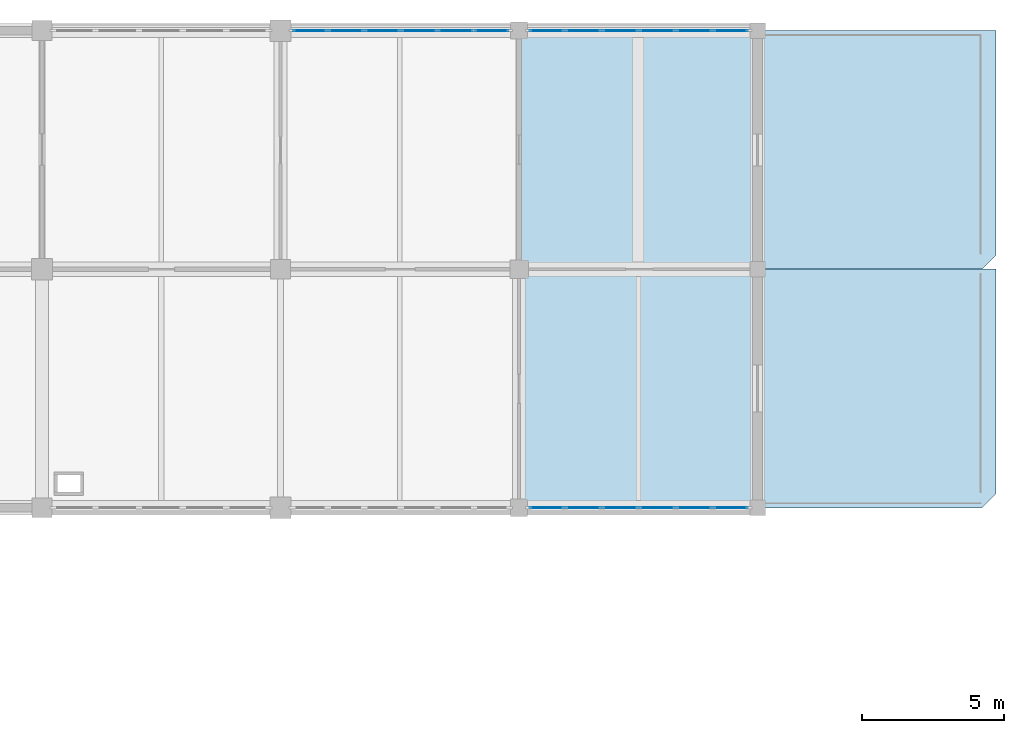
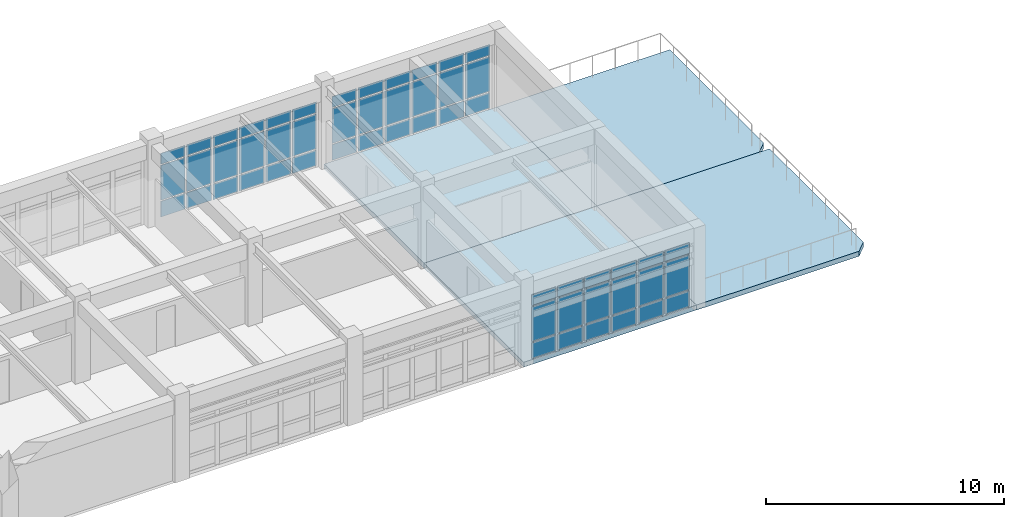
# One storey, part 77 of 99: 54 plates, 4 slabs, 3 elements without a shape of their own.
"""IFC4 building model written with IfcOpenShell, lengths in metres."""

from ifc_helpers import new_model, si_unit, direction, frame, origin, origin_2d, place, context, subcontext, project, spatial, polyline, rectangle, outline, extrude, material, layer, layer_set, type_object, element, aggregate, save


model = new_model("IFC4")

# Units and contexts
model_context = context("Model", 3, precision=1e-05, world=origin(), true_north=direction((0.0, 1.0)))
body_context = subcontext(model_context, "Body", "Model", "MODEL_VIEW")
ifc_project = project(units=[si_unit("LENGTHUNIT", "METRE"), si_unit("AREAUNIT", "SQUARE_METRE"), si_unit("VOLUMEUNIT", "CUBIC_METRE"), si_unit("PLANEANGLEUNIT", "RADIAN"), si_unit("MASSUNIT", "GRAM", prefix="KILO")], contexts=[model_context])

# Site, building, storey
site_placement = place(None, origin())
site = spatial("IfcSite", under=ifc_project, at=site_placement, CompositionType="ELEMENT")
building_placement = place(site_placement, origin())
building = spatial("IfcBuilding", under=site, at=building_placement, Name="Porcellanite Civic Hall", CompositionType="ELEMENT")
storey_placement = place(building_placement, frame((0.0, 0.0, 5.760009765625)))
storey = spatial("IfcBuildingStorey", under=building, at=storey_placement, Name="L01", CompositionType="ELEMENT", Elevation=5.760009765625)

# Curtain wall, plates
ifc_material_1 = material(Name="Anodised aluminium and solar laminated glass", Category="aluminium")
ifc_layer_1 = layer(ifc_material_1, 0.179931640625)
ifc_layer_set_1 = layer_set([ifc_layer_1], Name="Anodised aluminium and solar laminated glass")
curtain_wall_type = type_object("IfcCurtainWallType", Name="CW-SYS02", PredefinedType="NOTDEFINED", material=ifc_layer_set_1)
curtain_wall_1_placement = place(storey_placement, origin())
curtain_wall_1 = element("IfcCurtainWall", 1, at=curtain_wall_1_placement, inside=storey, type_object=curtain_wall_type, Name="Curtain wall CW-125", PredefinedType="NOTDEFINED")
ifc_material_2 = material(Name="Cyclone laminated solar-control low-E glass", Category="glass")
ifc_layer_2 = layer(ifc_material_2, 0.02587890625)
ifc_layer_set_2 = layer_set([ifc_layer_2], Name="Cyclone laminated solar-control low-E glass")
plate_type = type_object("IfcPlateType", Name="CWP-02", PredefinedType="CURTAIN_PANEL", material=ifc_layer_set_2)
plate_1_placement = place(storey_placement, frame((152.23828125, 117.60009765625, 0.06494140625), z_axis=(0.0, 0.0, 1.0), x_axis=(1.0, 0.0, 0.0)))
plate_1 = element("IfcPlate", 2, at=plate_1_placement, type_object=plate_type, Name="CW-125 panel 1.1", PredefinedType="CURTAIN_PANEL", context=body_context, shape_type="SweptSolid", body=[
    extrude(rectangle(XDim=1.174560546875, YDim=0.02587890625, at=origin_2d()), origin(), (0.0, 0.0, 1.0), 0.802490234375),
])
plate_2_placement = place(storey_placement, frame((152.23828125, 117.60009765625, 0.9326171875), z_axis=(0.0, 0.0, 1.0), x_axis=(1.0, 0.0, 0.0)))
plate_2 = element("IfcPlate", 3, at=plate_2_placement, type_object=plate_type, Name="CW-125 panel 1.2", PredefinedType="CURTAIN_PANEL", context=body_context, shape_type="SweptSolid", body=[
    extrude(rectangle(XDim=1.174560546875, YDim=0.02587890625, at=origin_2d()), origin(), (0.0, 0.0, 1.0), 1.784912109375),
])
plate_3_placement = place(storey_placement, frame((152.23828125, 117.60009765625, 2.78271484375), z_axis=(0.0, 0.0, 1.0), x_axis=(1.0, 0.0, 0.0)))
plate_3 = element("IfcPlate", 4, at=plate_3_placement, type_object=plate_type, Name="CW-125 panel 1.3", PredefinedType="CURTAIN_PANEL", context=body_context, shape_type="SweptSolid", body=[
    extrude(rectangle(XDim=1.174560546875, YDim=0.02587890625, at=origin_2d()), origin(), (0.0, 0.0, 1.0), 0.552490234375),
])
plate_4_placement = place(storey_placement, frame((153.5068359375, 117.60009765625, 0.06494140625), z_axis=(0.0, 0.0, 1.0), x_axis=(1.0, 0.0, 0.0)))
plate_4 = element("IfcPlate", 5, at=plate_4_placement, type_object=plate_type, Name="CW-125 panel 2.1", PredefinedType="CURTAIN_PANEL", context=body_context, shape_type="SweptSolid", body=[
    extrude(rectangle(XDim=1.212158203125, YDim=0.02587890625, at=origin_2d()), origin(), (0.0, 0.0, 1.0), 0.802490234375),
])
plate_5_placement = place(storey_placement, frame((153.5068359375, 117.60009765625, 0.9326171875), z_axis=(0.0, 0.0, 1.0), x_axis=(1.0, 0.0, 0.0)))
plate_5 = element("IfcPlate", 6, at=plate_5_placement, type_object=plate_type, Name="CW-125 panel 2.2", PredefinedType="CURTAIN_PANEL", context=body_context, shape_type="SweptSolid", body=[
    extrude(rectangle(XDim=1.212158203125, YDim=0.02587890625, at=origin_2d()), origin(), (0.0, 0.0, 1.0), 1.784912109375),
])
plate_6_placement = place(storey_placement, frame((153.5068359375, 117.60009765625, 2.78271484375), z_axis=(0.0, 0.0, 1.0), x_axis=(1.0, 0.0, 0.0)))
plate_6 = element("IfcPlate", 7, at=plate_6_placement, type_object=plate_type, Name="CW-125 panel 2.3", PredefinedType="CURTAIN_PANEL", context=body_context, shape_type="SweptSolid", body=[
    extrude(rectangle(XDim=1.212158203125, YDim=0.02587890625, at=origin_2d()), origin(), (0.0, 0.0, 1.0), 0.552490234375),
])
plate_7_placement = place(storey_placement, frame((154.7939453125, 117.60009765625, 0.06494140625), z_axis=(0.0, 0.0, 1.0), x_axis=(1.0, 0.0, 0.0)))
plate_7 = element("IfcPlate", 8, at=plate_7_placement, type_object=plate_type, Name="CW-125 panel 3.1", PredefinedType="CURTAIN_PANEL", context=body_context, shape_type="SweptSolid", body=[
    extrude(rectangle(XDim=1.212158203125, YDim=0.02587890625, at=origin_2d()), origin(), (0.0, 0.0, 1.0), 0.802490234375),
])
plate_8_placement = place(storey_placement, frame((154.7939453125, 117.60009765625, 0.9326171875), z_axis=(0.0, 0.0, 1.0), x_axis=(1.0, 0.0, 0.0)))
plate_8 = element("IfcPlate", 9, at=plate_8_placement, type_object=plate_type, Name="CW-125 panel 3.2", PredefinedType="CURTAIN_PANEL", context=body_context, shape_type="SweptSolid", body=[
    extrude(rectangle(XDim=1.212158203125, YDim=0.02587890625, at=origin_2d()), origin(), (0.0, 0.0, 1.0), 1.784912109375),
])
plate_9_placement = place(storey_placement, frame((154.7939453125, 117.60009765625, 2.78271484375), z_axis=(0.0, 0.0, 1.0), x_axis=(1.0, 0.0, 0.0)))
plate_9 = element("IfcPlate", 10, at=plate_9_placement, type_object=plate_type, Name="CW-125 panel 3.3", PredefinedType="CURTAIN_PANEL", context=body_context, shape_type="SweptSolid", body=[
    extrude(rectangle(XDim=1.212158203125, YDim=0.02587890625, at=origin_2d()), origin(), (0.0, 0.0, 1.0), 0.552490234375),
])
plate_10_placement = place(storey_placement, frame((156.0810546875, 117.60009765625, 0.06494140625), z_axis=(0.0, 0.0, 1.0), x_axis=(1.0, 0.0, 0.0)))
plate_10 = element("IfcPlate", 11, at=plate_10_placement, type_object=plate_type, Name="CW-125 panel 4.1", PredefinedType="CURTAIN_PANEL", context=body_context, shape_type="SweptSolid", body=[
    extrude(rectangle(XDim=1.212158203125, YDim=0.02587890625, at=origin_2d()), origin(), (0.0, 0.0, 1.0), 0.802490234375),
])
plate_11_placement = place(storey_placement, frame((156.0810546875, 117.60009765625, 0.9326171875), z_axis=(0.0, 0.0, 1.0), x_axis=(1.0, 0.0, 0.0)))
plate_11 = element("IfcPlate", 12, at=plate_11_placement, type_object=plate_type, Name="CW-125 panel 4.2", PredefinedType="CURTAIN_PANEL", context=body_context, shape_type="SweptSolid", body=[
    extrude(rectangle(XDim=1.212158203125, YDim=0.02587890625, at=origin_2d()), origin(), (0.0, 0.0, 1.0), 1.784912109375),
])
plate_12_placement = place(storey_placement, frame((156.0810546875, 117.60009765625, 2.78271484375), z_axis=(0.0, 0.0, 1.0), x_axis=(1.0, 0.0, 0.0)))
plate_12 = element("IfcPlate", 13, at=plate_12_placement, type_object=plate_type, Name="CW-125 panel 4.3", PredefinedType="CURTAIN_PANEL", context=body_context, shape_type="SweptSolid", body=[
    extrude(rectangle(XDim=1.212158203125, YDim=0.02587890625, at=origin_2d()), origin(), (0.0, 0.0, 1.0), 0.552490234375),
])
plate_13_placement = place(storey_placement, frame((157.3681640625, 117.60009765625, 0.06494140625), z_axis=(0.0, 0.0, 1.0), x_axis=(1.0, 0.0, 0.0)))
plate_13 = element("IfcPlate", 14, at=plate_13_placement, type_object=plate_type, Name="CW-125 panel 5.1", PredefinedType="CURTAIN_PANEL", context=body_context, shape_type="SweptSolid", body=[
    extrude(rectangle(XDim=1.212158203125, YDim=0.02587890625, at=origin_2d()), origin(), (0.0, 0.0, 1.0), 0.802490234375),
])
plate_14_placement = place(storey_placement, frame((157.3681640625, 117.60009765625, 0.9326171875), z_axis=(0.0, 0.0, 1.0), x_axis=(1.0, 0.0, 0.0)))
plate_14 = element("IfcPlate", 15, at=plate_14_placement, type_object=plate_type, Name="CW-125 panel 5.2", PredefinedType="CURTAIN_PANEL", context=body_context, shape_type="SweptSolid", body=[
    extrude(rectangle(XDim=1.212158203125, YDim=0.02587890625, at=origin_2d()), origin(), (0.0, 0.0, 1.0), 1.784912109375),
])
plate_15_placement = place(storey_placement, frame((157.3681640625, 117.60009765625, 2.78271484375), z_axis=(0.0, 0.0, 1.0), x_axis=(1.0, 0.0, 0.0)))
plate_15 = element("IfcPlate", 16, at=plate_15_placement, type_object=plate_type, Name="CW-125 panel 5.3", PredefinedType="CURTAIN_PANEL", context=body_context, shape_type="SweptSolid", body=[
    extrude(rectangle(XDim=1.212158203125, YDim=0.02587890625, at=origin_2d()), origin(), (0.0, 0.0, 1.0), 0.552490234375),
])
plate_16_placement = place(storey_placement, frame((158.63671875, 117.60009765625, 0.06494140625), z_axis=(0.0, 0.0, 1.0), x_axis=(1.0, 0.0, 0.0)))
plate_16 = element("IfcPlate", 17, at=plate_16_placement, type_object=plate_type, Name="CW-125 panel 6.1", PredefinedType="CURTAIN_PANEL", context=body_context, shape_type="SweptSolid", body=[
    extrude(rectangle(XDim=1.174560546875, YDim=0.02587890625, at=origin_2d()), origin(), (0.0, 0.0, 1.0), 0.802490234375),
])
plate_17_placement = place(storey_placement, frame((158.63671875, 117.60009765625, 0.9326171875), z_axis=(0.0, 0.0, 1.0), x_axis=(1.0, 0.0, 0.0)))
plate_17 = element("IfcPlate", 18, at=plate_17_placement, type_object=plate_type, Name="CW-125 panel 6.2", PredefinedType="CURTAIN_PANEL", context=body_context, shape_type="SweptSolid", body=[
    extrude(rectangle(XDim=1.174560546875, YDim=0.02587890625, at=origin_2d()), origin(), (0.0, 0.0, 1.0), 1.784912109375),
])
plate_18_placement = place(storey_placement, frame((158.63671875, 117.60009765625, 2.78271484375), z_axis=(0.0, 0.0, 1.0), x_axis=(1.0, 0.0, 0.0)))
plate_18 = element("IfcPlate", 19, at=plate_18_placement, type_object=plate_type, Name="CW-125 panel 6.3", PredefinedType="CURTAIN_PANEL", context=body_context, shape_type="SweptSolid", body=[
    extrude(rectangle(XDim=1.174560546875, YDim=0.02587890625, at=origin_2d()), origin(), (0.0, 0.0, 1.0), 0.552490234375),
])
aggregate(curtain_wall_1, [plate_1, plate_2, plate_3, plate_4, plate_5, plate_6, plate_7, plate_8, plate_9, plate_10, plate_11, plate_12, plate_13, plate_14, plate_15, plate_16, plate_17, plate_18])

curtain_wall_2_placement = place(storey_placement, origin())
curtain_wall_2 = element("IfcCurtainWall", 20, at=curtain_wall_2_placement, inside=storey, type_object=curtain_wall_type, Name="Curtain wall CW-127", PredefinedType="NOTDEFINED")
plate_19_placement = place(storey_placement, frame((167.05322265625, 100.800048828125, 0.06494140625), z_axis=(0.0, 0.0, 1.0), x_axis=(-1.0, 0.0, 0.0)))
plate_19 = element("IfcPlate", 21, at=plate_19_placement, type_object=plate_type, Name="CW-127 panel 1.1", PredefinedType="CURTAIN_PANEL", context=body_context, shape_type="SweptSolid", body=[
    extrude(rectangle(XDim=1.19140625, YDim=0.02587890625, at=origin_2d()), origin(), (0.0, 0.0, 1.0), 0.802490234375),
])
plate_20_placement = place(storey_placement, frame((167.05322265625, 100.800048828125, 0.9326171875), z_axis=(0.0, 0.0, 1.0), x_axis=(-1.0, 0.0, 0.0)))
plate_20 = element("IfcPlate", 22, at=plate_20_placement, type_object=plate_type, Name="CW-127 panel 1.2", PredefinedType="CURTAIN_PANEL", context=body_context, shape_type="SweptSolid", body=[
    extrude(rectangle(XDim=1.19140625, YDim=0.02587890625, at=origin_2d()), origin(), (0.0, 0.0, 1.0), 1.784912109375),
])
plate_21_placement = place(storey_placement, frame((167.05322265625, 100.800048828125, 2.78271484375), z_axis=(0.0, 0.0, 1.0), x_axis=(-1.0, 0.0, 0.0)))
plate_21 = element("IfcPlate", 23, at=plate_21_placement, type_object=plate_type, Name="CW-127 panel 1.3", PredefinedType="CURTAIN_PANEL", context=body_context, shape_type="SweptSolid", body=[
    extrude(rectangle(XDim=1.19140625, YDim=0.02587890625, at=origin_2d()), origin(), (0.0, 0.0, 1.0), 0.552490234375),
])
plate_22_placement = place(storey_placement, frame((165.768310546875, 100.800048828125, 0.06494140625), z_axis=(0.0, 0.0, 1.0), x_axis=(-1.0, 0.0, 0.0)))
plate_22 = element("IfcPlate", 24, at=plate_22_placement, type_object=plate_type, Name="CW-127 panel 2.1", PredefinedType="CURTAIN_PANEL", context=body_context, shape_type="SweptSolid", body=[
    extrude(rectangle(XDim=1.228759765625, YDim=0.02587890625, at=origin_2d()), origin(), (0.0, 0.0, 1.0), 0.802490234375),
])
plate_23_placement = place(storey_placement, frame((165.768310546875, 100.800048828125, 0.9326171875), z_axis=(0.0, 0.0, 1.0), x_axis=(-1.0, 0.0, 0.0)))
plate_23 = element("IfcPlate", 25, at=plate_23_placement, type_object=plate_type, Name="CW-127 panel 2.2", PredefinedType="CURTAIN_PANEL", context=body_context, shape_type="SweptSolid", body=[
    extrude(rectangle(XDim=1.228759765625, YDim=0.02587890625, at=origin_2d()), origin(), (0.0, 0.0, 1.0), 1.784912109375),
])
plate_24_placement = place(storey_placement, frame((165.768310546875, 100.800048828125, 2.78271484375), z_axis=(0.0, 0.0, 1.0), x_axis=(-1.0, 0.0, 0.0)))
plate_24 = element("IfcPlate", 26, at=plate_24_placement, type_object=plate_type, Name="CW-127 panel 2.3", PredefinedType="CURTAIN_PANEL", context=body_context, shape_type="SweptSolid", body=[
    extrude(rectangle(XDim=1.228759765625, YDim=0.02587890625, at=origin_2d()), origin(), (0.0, 0.0, 1.0), 0.552490234375),
])
plate_25_placement = place(storey_placement, frame((164.46435546875, 100.800048828125, 0.06494140625), z_axis=(0.0, 0.0, 1.0), x_axis=(-1.0, 0.0, 0.0)))
plate_25 = element("IfcPlate", 27, at=plate_25_placement, type_object=plate_type, Name="CW-127 panel 3.1", PredefinedType="CURTAIN_PANEL", context=body_context, shape_type="SweptSolid", body=[
    extrude(rectangle(XDim=1.228759765625, YDim=0.02587890625, at=origin_2d()), origin(), (0.0, 0.0, 1.0), 0.802490234375),
])
plate_26_placement = place(storey_placement, frame((164.46435546875, 100.800048828125, 0.9326171875), z_axis=(0.0, 0.0, 1.0), x_axis=(-1.0, 0.0, 0.0)))
plate_26 = element("IfcPlate", 28, at=plate_26_placement, type_object=plate_type, Name="CW-127 panel 3.2", PredefinedType="CURTAIN_PANEL", context=body_context, shape_type="SweptSolid", body=[
    extrude(rectangle(XDim=1.228759765625, YDim=0.02587890625, at=origin_2d()), origin(), (0.0, 0.0, 1.0), 1.784912109375),
])
plate_27_placement = place(storey_placement, frame((164.46435546875, 100.800048828125, 2.78271484375), z_axis=(0.0, 0.0, 1.0), x_axis=(-1.0, 0.0, 0.0)))
plate_27 = element("IfcPlate", 29, at=plate_27_placement, type_object=plate_type, Name="CW-127 panel 3.3", PredefinedType="CURTAIN_PANEL", context=body_context, shape_type="SweptSolid", body=[
    extrude(rectangle(XDim=1.228759765625, YDim=0.02587890625, at=origin_2d()), origin(), (0.0, 0.0, 1.0), 0.552490234375),
])
plate_28_placement = place(storey_placement, frame((163.16064453125, 100.800048828125, 0.06494140625), z_axis=(0.0, 0.0, 1.0), x_axis=(-1.0, 0.0, 0.0)))
plate_28 = element("IfcPlate", 30, at=plate_28_placement, type_object=plate_type, Name="CW-127 panel 4.1", PredefinedType="CURTAIN_PANEL", context=body_context, shape_type="SweptSolid", body=[
    extrude(rectangle(XDim=1.228759765625, YDim=0.02587890625, at=origin_2d()), origin(), (0.0, 0.0, 1.0), 0.802490234375),
])
plate_29_placement = place(storey_placement, frame((163.16064453125, 100.800048828125, 0.9326171875), z_axis=(0.0, 0.0, 1.0), x_axis=(-1.0, 0.0, 0.0)))
plate_29 = element("IfcPlate", 31, at=plate_29_placement, type_object=plate_type, Name="CW-127 panel 4.2", PredefinedType="CURTAIN_PANEL", context=body_context, shape_type="SweptSolid", body=[
    extrude(rectangle(XDim=1.228759765625, YDim=0.02587890625, at=origin_2d()), origin(), (0.0, 0.0, 1.0), 1.784912109375),
])
plate_30_placement = place(storey_placement, frame((163.16064453125, 100.800048828125, 2.78271484375), z_axis=(0.0, 0.0, 1.0), x_axis=(-1.0, 0.0, 0.0)))
plate_30 = element("IfcPlate", 32, at=plate_30_placement, type_object=plate_type, Name="CW-127 panel 4.3", PredefinedType="CURTAIN_PANEL", context=body_context, shape_type="SweptSolid", body=[
    extrude(rectangle(XDim=1.228759765625, YDim=0.02587890625, at=origin_2d()), origin(), (0.0, 0.0, 1.0), 0.552490234375),
])
plate_31_placement = place(storey_placement, frame((161.856689453125, 100.800048828125, 0.06494140625), z_axis=(0.0, 0.0, 1.0), x_axis=(-1.0, 0.0, 0.0)))
plate_31 = element("IfcPlate", 33, at=plate_31_placement, type_object=plate_type, Name="CW-127 panel 5.1", PredefinedType="CURTAIN_PANEL", context=body_context, shape_type="SweptSolid", body=[
    extrude(rectangle(XDim=1.228759765625, YDim=0.02587890625, at=origin_2d()), origin(), (0.0, 0.0, 1.0), 0.802490234375),
])
plate_32_placement = place(storey_placement, frame((161.856689453125, 100.800048828125, 0.9326171875), z_axis=(0.0, 0.0, 1.0), x_axis=(-1.0, 0.0, 0.0)))
plate_32 = element("IfcPlate", 34, at=plate_32_placement, type_object=plate_type, Name="CW-127 panel 5.2", PredefinedType="CURTAIN_PANEL", context=body_context, shape_type="SweptSolid", body=[
    extrude(rectangle(XDim=1.228759765625, YDim=0.02587890625, at=origin_2d()), origin(), (0.0, 0.0, 1.0), 1.784912109375),
])
plate_33_placement = place(storey_placement, frame((161.856689453125, 100.800048828125, 2.78271484375), z_axis=(0.0, 0.0, 1.0), x_axis=(-1.0, 0.0, 0.0)))
plate_33 = element("IfcPlate", 35, at=plate_33_placement, type_object=plate_type, Name="CW-127 panel 5.3", PredefinedType="CURTAIN_PANEL", context=body_context, shape_type="SweptSolid", body=[
    extrude(rectangle(XDim=1.228759765625, YDim=0.02587890625, at=origin_2d()), origin(), (0.0, 0.0, 1.0), 0.552490234375),
])
plate_34_placement = place(storey_placement, frame((160.57177734375, 100.800048828125, 0.06494140625), z_axis=(0.0, 0.0, 1.0), x_axis=(-1.0, 0.0, 0.0)))
plate_34 = element("IfcPlate", 36, at=plate_34_placement, type_object=plate_type, Name="CW-127 panel 6.1", PredefinedType="CURTAIN_PANEL", context=body_context, shape_type="SweptSolid", body=[
    extrude(rectangle(XDim=1.19140625, YDim=0.02587890625, at=origin_2d()), origin(), (0.0, 0.0, 1.0), 0.802490234375),
])
plate_35_placement = place(storey_placement, frame((160.57177734375, 100.800048828125, 0.9326171875), z_axis=(0.0, 0.0, 1.0), x_axis=(-1.0, 0.0, 0.0)))
plate_35 = element("IfcPlate", 37, at=plate_35_placement, type_object=plate_type, Name="CW-127 panel 6.2", PredefinedType="CURTAIN_PANEL", context=body_context, shape_type="SweptSolid", body=[
    extrude(rectangle(XDim=1.19140625, YDim=0.02587890625, at=origin_2d()), origin(), (0.0, 0.0, 1.0), 1.784912109375),
])
plate_36_placement = place(storey_placement, frame((160.57177734375, 100.800048828125, 2.78271484375), z_axis=(0.0, 0.0, 1.0), x_axis=(-1.0, 0.0, 0.0)))
plate_36 = element("IfcPlate", 38, at=plate_36_placement, type_object=plate_type, Name="CW-127 panel 6.3", PredefinedType="CURTAIN_PANEL", context=body_context, shape_type="SweptSolid", body=[
    extrude(rectangle(XDim=1.19140625, YDim=0.02587890625, at=origin_2d()), origin(), (0.0, 0.0, 1.0), 0.552490234375),
])
aggregate(curtain_wall_2, [plate_19, plate_20, plate_21, plate_22, plate_23, plate_24, plate_25, plate_26, plate_27, plate_28, plate_29, plate_30, plate_31, plate_32, plate_33, plate_34, plate_35, plate_36])

curtain_wall_3_placement = place(storey_placement, origin())
curtain_wall_3 = element("IfcCurtainWall", 39, at=curtain_wall_3_placement, inside=storey, type_object=curtain_wall_type, Name="Curtain wall CW-128", PredefinedType="NOTDEFINED")
plate_37_placement = place(storey_placement, frame((160.57177734375, 117.60009765625, 0.06494140625), z_axis=(0.0, 0.0, 1.0), x_axis=(1.0, 0.0, 0.0)))
plate_37 = element("IfcPlate", 40, at=plate_37_placement, type_object=plate_type, Name="CW-128 panel 1.1", PredefinedType="CURTAIN_PANEL", context=body_context, shape_type="SweptSolid", body=[
    extrude(rectangle(XDim=1.19140625, YDim=0.02587890625, at=origin_2d()), origin(), (0.0, 0.0, 1.0), 0.802490234375),
])
plate_38_placement = place(storey_placement, frame((160.57177734375, 117.60009765625, 0.9326171875), z_axis=(0.0, 0.0, 1.0), x_axis=(1.0, 0.0, 0.0)))
plate_38 = element("IfcPlate", 41, at=plate_38_placement, type_object=plate_type, Name="CW-128 panel 1.2", PredefinedType="CURTAIN_PANEL", context=body_context, shape_type="SweptSolid", body=[
    extrude(rectangle(XDim=1.19140625, YDim=0.02587890625, at=origin_2d()), origin(), (0.0, 0.0, 1.0), 1.784912109375),
])
plate_39_placement = place(storey_placement, frame((160.57177734375, 117.60009765625, 2.78271484375), z_axis=(0.0, 0.0, 1.0), x_axis=(1.0, 0.0, 0.0)))
plate_39 = element("IfcPlate", 42, at=plate_39_placement, type_object=plate_type, Name="CW-128 panel 1.3", PredefinedType="CURTAIN_PANEL", context=body_context, shape_type="SweptSolid", body=[
    extrude(rectangle(XDim=1.19140625, YDim=0.02587890625, at=origin_2d()), origin(), (0.0, 0.0, 1.0), 0.552490234375),
])
plate_40_placement = place(storey_placement, frame((161.856689453125, 117.60009765625, 0.06494140625), z_axis=(0.0, 0.0, 1.0), x_axis=(1.0, 0.0, 0.0)))
plate_40 = element("IfcPlate", 43, at=plate_40_placement, type_object=plate_type, Name="CW-128 panel 2.1", PredefinedType="CURTAIN_PANEL", context=body_context, shape_type="SweptSolid", body=[
    extrude(rectangle(XDim=1.228759765625, YDim=0.02587890625, at=origin_2d()), origin(), (0.0, 0.0, 1.0), 0.802490234375),
])
plate_41_placement = place(storey_placement, frame((161.856689453125, 117.60009765625, 0.9326171875), z_axis=(0.0, 0.0, 1.0), x_axis=(1.0, 0.0, 0.0)))
plate_41 = element("IfcPlate", 44, at=plate_41_placement, type_object=plate_type, Name="CW-128 panel 2.2", PredefinedType="CURTAIN_PANEL", context=body_context, shape_type="SweptSolid", body=[
    extrude(rectangle(XDim=1.228759765625, YDim=0.02587890625, at=origin_2d()), origin(), (0.0, 0.0, 1.0), 1.784912109375),
])
plate_42_placement = place(storey_placement, frame((161.856689453125, 117.60009765625, 2.78271484375), z_axis=(0.0, 0.0, 1.0), x_axis=(1.0, 0.0, 0.0)))
plate_42 = element("IfcPlate", 45, at=plate_42_placement, type_object=plate_type, Name="CW-128 panel 2.3", PredefinedType="CURTAIN_PANEL", context=body_context, shape_type="SweptSolid", body=[
    extrude(rectangle(XDim=1.228759765625, YDim=0.02587890625, at=origin_2d()), origin(), (0.0, 0.0, 1.0), 0.552490234375),
])
plate_43_placement = place(storey_placement, frame((163.16064453125, 117.60009765625, 0.06494140625), z_axis=(0.0, 0.0, 1.0), x_axis=(1.0, 0.0, 0.0)))
plate_43 = element("IfcPlate", 46, at=plate_43_placement, type_object=plate_type, Name="CW-128 panel 3.1", PredefinedType="CURTAIN_PANEL", context=body_context, shape_type="SweptSolid", body=[
    extrude(rectangle(XDim=1.228759765625, YDim=0.02587890625, at=origin_2d()), origin(), (0.0, 0.0, 1.0), 0.802490234375),
])
plate_44_placement = place(storey_placement, frame((163.16064453125, 117.60009765625, 0.9326171875), z_axis=(0.0, 0.0, 1.0), x_axis=(1.0, 0.0, 0.0)))
plate_44 = element("IfcPlate", 47, at=plate_44_placement, type_object=plate_type, Name="CW-128 panel 3.2", PredefinedType="CURTAIN_PANEL", context=body_context, shape_type="SweptSolid", body=[
    extrude(rectangle(XDim=1.228759765625, YDim=0.02587890625, at=origin_2d()), origin(), (0.0, 0.0, 1.0), 1.784912109375),
])
plate_45_placement = place(storey_placement, frame((163.16064453125, 117.60009765625, 2.78271484375), z_axis=(0.0, 0.0, 1.0), x_axis=(1.0, 0.0, 0.0)))
plate_45 = element("IfcPlate", 48, at=plate_45_placement, type_object=plate_type, Name="CW-128 panel 3.3", PredefinedType="CURTAIN_PANEL", context=body_context, shape_type="SweptSolid", body=[
    extrude(rectangle(XDim=1.228759765625, YDim=0.02587890625, at=origin_2d()), origin(), (0.0, 0.0, 1.0), 0.552490234375),
])
plate_46_placement = place(storey_placement, frame((164.46435546875, 117.60009765625, 0.06494140625), z_axis=(0.0, 0.0, 1.0), x_axis=(1.0, 0.0, 0.0)))
plate_46 = element("IfcPlate", 49, at=plate_46_placement, type_object=plate_type, Name="CW-128 panel 4.1", PredefinedType="CURTAIN_PANEL", context=body_context, shape_type="SweptSolid", body=[
    extrude(rectangle(XDim=1.228759765625, YDim=0.02587890625, at=origin_2d()), origin(), (0.0, 0.0, 1.0), 0.802490234375),
])
plate_47_placement = place(storey_placement, frame((164.46435546875, 117.60009765625, 0.9326171875), z_axis=(0.0, 0.0, 1.0), x_axis=(1.0, 0.0, 0.0)))
plate_47 = element("IfcPlate", 50, at=plate_47_placement, type_object=plate_type, Name="CW-128 panel 4.2", PredefinedType="CURTAIN_PANEL", context=body_context, shape_type="SweptSolid", body=[
    extrude(rectangle(XDim=1.228759765625, YDim=0.02587890625, at=origin_2d()), origin(), (0.0, 0.0, 1.0), 1.784912109375),
])
plate_48_placement = place(storey_placement, frame((164.46435546875, 117.60009765625, 2.78271484375), z_axis=(0.0, 0.0, 1.0), x_axis=(1.0, 0.0, 0.0)))
plate_48 = element("IfcPlate", 51, at=plate_48_placement, type_object=plate_type, Name="CW-128 panel 4.3", PredefinedType="CURTAIN_PANEL", context=body_context, shape_type="SweptSolid", body=[
    extrude(rectangle(XDim=1.228759765625, YDim=0.02587890625, at=origin_2d()), origin(), (0.0, 0.0, 1.0), 0.552490234375),
])
plate_49_placement = place(storey_placement, frame((165.768310546875, 117.60009765625, 0.06494140625), z_axis=(0.0, 0.0, 1.0), x_axis=(1.0, 0.0, 0.0)))
plate_49 = element("IfcPlate", 52, at=plate_49_placement, type_object=plate_type, Name="CW-128 panel 5.1", PredefinedType="CURTAIN_PANEL", context=body_context, shape_type="SweptSolid", body=[
    extrude(rectangle(XDim=1.228759765625, YDim=0.02587890625, at=origin_2d()), origin(), (0.0, 0.0, 1.0), 0.802490234375),
])
plate_50_placement = place(storey_placement, frame((165.768310546875, 117.60009765625, 0.9326171875), z_axis=(0.0, 0.0, 1.0), x_axis=(1.0, 0.0, 0.0)))
plate_50 = element("IfcPlate", 53, at=plate_50_placement, type_object=plate_type, Name="CW-128 panel 5.2", PredefinedType="CURTAIN_PANEL", context=body_context, shape_type="SweptSolid", body=[
    extrude(rectangle(XDim=1.228759765625, YDim=0.02587890625, at=origin_2d()), origin(), (0.0, 0.0, 1.0), 1.784912109375),
])
plate_51_placement = place(storey_placement, frame((165.768310546875, 117.60009765625, 2.78271484375), z_axis=(0.0, 0.0, 1.0), x_axis=(1.0, 0.0, 0.0)))
plate_51 = element("IfcPlate", 54, at=plate_51_placement, type_object=plate_type, Name="CW-128 panel 5.3", PredefinedType="CURTAIN_PANEL", context=body_context, shape_type="SweptSolid", body=[
    extrude(rectangle(XDim=1.228759765625, YDim=0.02587890625, at=origin_2d()), origin(), (0.0, 0.0, 1.0), 0.552490234375),
])
plate_52_placement = place(storey_placement, frame((167.05322265625, 117.60009765625, 0.06494140625), z_axis=(0.0, 0.0, 1.0), x_axis=(1.0, 0.0, 0.0)))
plate_52 = element("IfcPlate", 55, at=plate_52_placement, type_object=plate_type, Name="CW-128 panel 6.1", PredefinedType="CURTAIN_PANEL", context=body_context, shape_type="SweptSolid", body=[
    extrude(rectangle(XDim=1.19140625, YDim=0.02587890625, at=origin_2d()), origin(), (0.0, 0.0, 1.0), 0.802490234375),
])
plate_53_placement = place(storey_placement, frame((167.05322265625, 117.60009765625, 0.9326171875), z_axis=(0.0, 0.0, 1.0), x_axis=(1.0, 0.0, 0.0)))
plate_53 = element("IfcPlate", 56, at=plate_53_placement, type_object=plate_type, Name="CW-128 panel 6.2", PredefinedType="CURTAIN_PANEL", context=body_context, shape_type="SweptSolid", body=[
    extrude(rectangle(XDim=1.19140625, YDim=0.02587890625, at=origin_2d()), origin(), (0.0, 0.0, 1.0), 1.784912109375),
])
plate_54_placement = place(storey_placement, frame((167.05322265625, 117.60009765625, 2.78271484375), z_axis=(0.0, 0.0, 1.0), x_axis=(1.0, 0.0, 0.0)))
plate_54 = element("IfcPlate", 57, at=plate_54_placement, type_object=plate_type, Name="CW-128 panel 6.3", PredefinedType="CURTAIN_PANEL", context=body_context, shape_type="SweptSolid", body=[
    extrude(rectangle(XDim=1.19140625, YDim=0.02587890625, at=origin_2d()), origin(), (0.0, 0.0, 1.0), 0.552490234375),
])
aggregate(curtain_wall_3, [plate_37, plate_38, plate_39, plate_40, plate_41, plate_42, plate_43, plate_44, plate_45, plate_46, plate_47, plate_48, plate_49, plate_50, plate_51, plate_52, plate_53, plate_54])

# Slabs
ifc_material_3 = material(Name="Concrete N40 (40 MPa)", Category="concrete")
ifc_layer_3 = layer(ifc_material_3, 0.25)
ifc_layer_set_3 = layer_set([ifc_layer_3], Name="Concrete N40 (40 MPa)")
slab_type_1 = type_object("IfcSlabType", Name="SL-FL250", PredefinedType="FLOOR", material=ifc_layer_set_3)
slab_1_placement = place(storey_placement, frame((0.0, 0.0, -0.25)))
element("IfcSlab", 58, at=slab_1_placement, inside=storey, type_object=slab_type_1, Name="Slab L01 bay 20-13", PredefinedType="FLOOR", context=body_context, shape_type="SweptSolid", body=[
    extrude(outline(polyline([(159.60009765625, 100.800048828125), (168.0, 100.800048828125), (168.0, 109.199951171875), (159.60009765625, 109.199951171875), (159.60009765625, 100.800048828125)])), origin(), (0.0, 0.0, 1.0), 0.25),
])
slab_2_placement = place(storey_placement, frame((0.0, 0.0, -0.25)))
element("IfcSlab", 59, at=slab_2_placement, inside=storey, type_object=slab_type_1, Name="Slab L01 bay 20-14", PredefinedType="FLOOR", context=body_context, shape_type="SweptSolid", body=[
    extrude(outline(polyline([(159.60009765625, 109.199951171875), (168.0, 109.199951171875), (168.0, 117.60009765625), (159.60009765625, 117.60009765625), (159.60009765625, 109.199951171875)])), origin(), (0.0, 0.0, 1.0), 0.25),
])
ifc_material_4 = material(Name="Concrete N40 (40 MPa)", Category="concrete")
ifc_layer_4 = layer(ifc_material_4, 0.260009765625)
ifc_layer_set_4 = layer_set([ifc_layer_4], Name="Concrete N40 (40 MPa)")
slab_type_2 = type_object("IfcSlabType", Name="SL-TER260", PredefinedType="FLOOR", material=ifc_layer_set_4)
slab_3_placement = place(storey_placement, frame((0.0, 0.0, -0.260009765625)))
element("IfcSlab", 60, at=slab_3_placement, inside=storey, type_object=slab_type_2, Name="Civic terrace slab L01 21-13", PredefinedType="FLOOR", context=body_context, shape_type="SweptSolid", body=[
    extrude(outline(polyline([(168.0, 100.800048828125), (175.89990234375, 100.800048828125), (176.39990234375, 101.300048828125), (176.39990234375, 109.199951171875), (168.0, 109.199951171875), (168.0, 100.800048828125)])), origin(), (0.0, 0.0, 1.0), 0.260009765625),
])
slab_4_placement = place(storey_placement, frame((0.0, 0.0, -0.260009765625)))
element("IfcSlab", 61, at=slab_4_placement, inside=storey, type_object=slab_type_2, Name="Civic terrace slab L01 21-14", PredefinedType="FLOOR", context=body_context, shape_type="SweptSolid", body=[
    extrude(outline(polyline([(168.0, 109.199951171875), (175.89990234375, 109.199951171875), (176.39990234375, 109.699951171875), (176.39990234375, 117.60009765625), (168.0, 117.60009765625), (168.0, 109.199951171875)])), origin(), (0.0, 0.0, 1.0), 0.260009765625),
])

save(model, "model.ifc")
